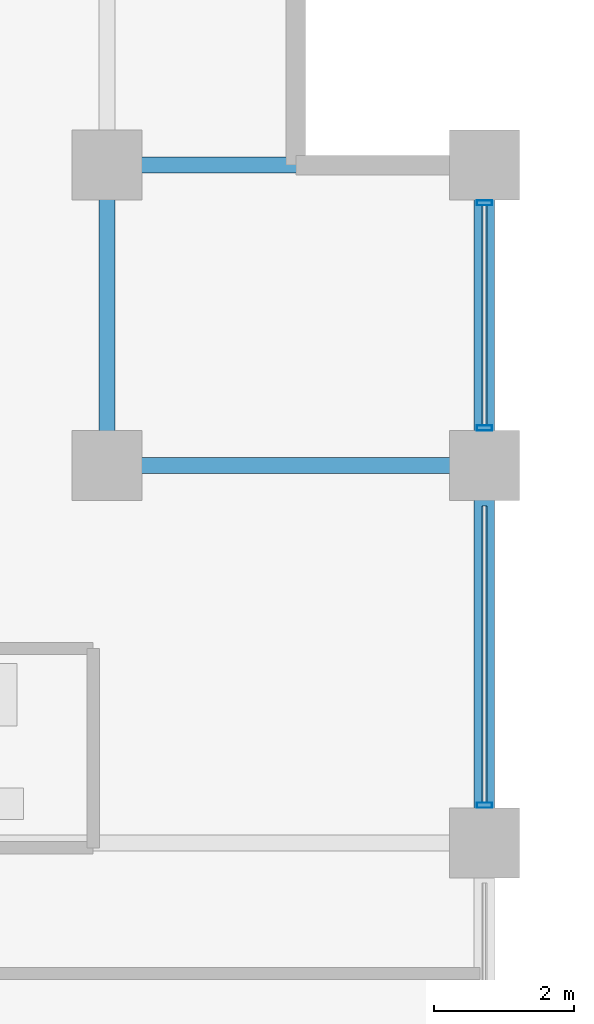
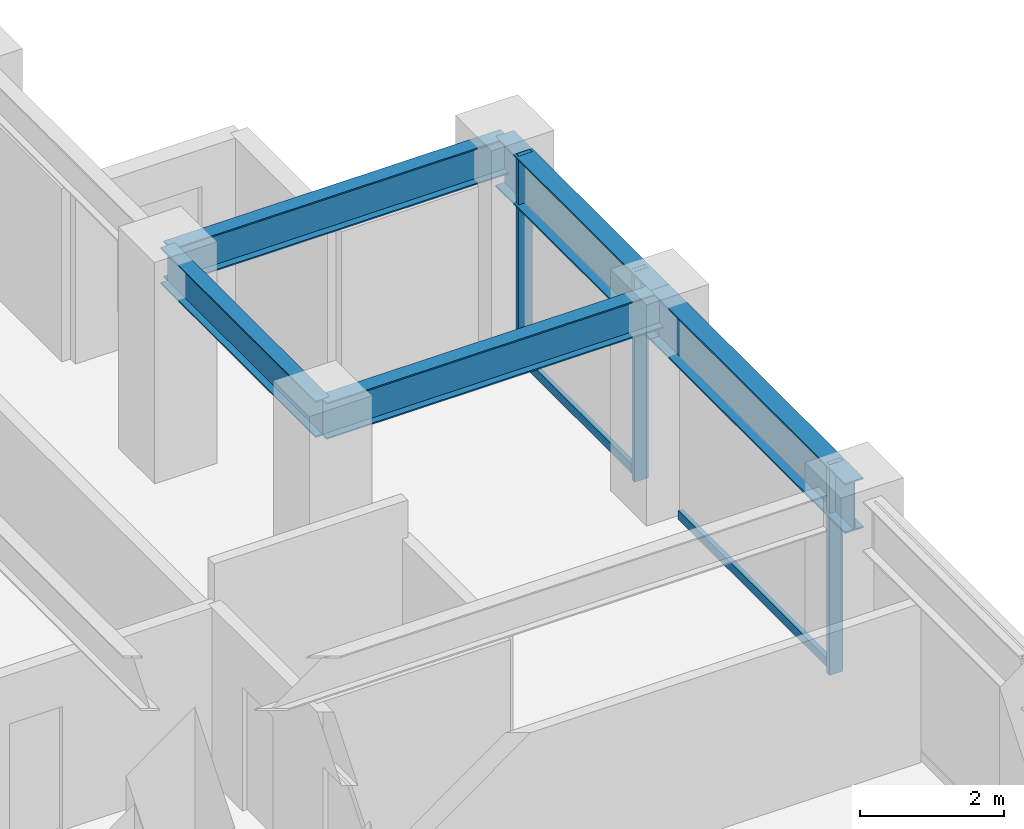
# One storey, part 15 of 25: 5 beams, 5 members, 1 element without a shape of its own.
"""IFC4 building model written with IfcOpenShell, lengths in metres."""

from ifc_helpers import new_model, si_unit, direction, frame, origin, origin_2d, place, context, subcontext, project, spatial, hollow_rectangle, i_section, extrude, material, layer, layer_set, material_profile, profile_set, type_object, element, aggregate, save


model = new_model("IFC4")

# Units and contexts
model_context = context("Model", 3, precision=1e-05, world=origin(), true_north=direction((0.0, 1.0)))
body_context = subcontext(model_context, "Body", "Model", "MODEL_VIEW")
ifc_project = project(units=[si_unit("LENGTHUNIT", "METRE"), si_unit("AREAUNIT", "SQUARE_METRE"), si_unit("VOLUMEUNIT", "CUBIC_METRE"), si_unit("PLANEANGLEUNIT", "RADIAN"), si_unit("MASSUNIT", "GRAM", prefix="KILO")], contexts=[model_context])

# Site, building, storey
site_placement = place(None, origin())
site = spatial("IfcSite", under=ifc_project, at=site_placement, CompositionType="ELEMENT")
building_placement = place(site_placement, origin())
building = spatial("IfcBuilding", under=site, at=building_placement, Name="Surkhivell Harbour Commons", CompositionType="ELEMENT")
storey_placement = place(building_placement, frame((0.0, 0.0, 139.5)))
storey = spatial("IfcBuildingStorey", under=building, at=storey_placement, Name="L36", CompositionType="ELEMENT", Elevation=139.5)

# Beams
ifc_material_1 = material(Name="Steel S355", Category="steel")
ifc_material_profile_1 = material_profile(ifc_material_1, i_section(OverallWidth=0.22998046875, OverallDepth=0.616943359375, WebThickness=0.01318359375, FlangeThickness=0.022216796875, at=origin_2d()), Name="UB610x229x140")
ifc_profile_set_1 = profile_set([ifc_material_profile_1], Name="Steel S355")
beam_type_1 = type_object("IfcBeamType", Name="BM-GRD-610B", PredefinedType="BEAM", material=ifc_profile_set_1)
beam_1_placement = place(storey_placement, frame((16.199951171875, 16.199951171875, 3.261474609375), z_axis=(0.0, 1.0, 0.0), x_axis=(-1.0, 0.0, 0.0)))
element("IfcBeam", 1, at=beam_1_placement, inside=storey, type_object=beam_type_1, Name="L36 Floor Girder (16.2,16.2)", PredefinedType="BEAM", context=body_context, shape_type="SweptSolid", body=[
    extrude(i_section(OverallWidth=0.22998046875, OverallDepth=0.616943359375, WebThickness=0.01318359375, FlangeThickness=0.022216796875, at=origin_2d()), origin(), (0.0, 0.0, 1.0), 4.300048828125),
])
for number, where, z_axis, x_axis, name in (
    (2, (16.199951171875, 16.199951171875, 3.261474609375), (1.0, 0.0, 0.0), (0.0, 1.0, 0.0), "L36 Floor Girder (16.2,16.2)"),
    (3, (16.199951171875, 20.5, 3.261474609375), (1.0, 0.0, 0.0), (0.0, 1.0, 0.0), "L36 Floor Girder (16.2,20.5)"),
):
    element("IfcBeam", number, at=place(storey_placement, frame(where, z_axis=z_axis, x_axis=x_axis)), inside=storey, type_object=beam_type_1, Name=name, PredefinedType="BEAM", context=body_context, shape_type="SweptSolid", body=[
        extrude(i_section(OverallWidth=0.22998046875, OverallDepth=0.616943359375, WebThickness=0.01318359375, FlangeThickness=0.022216796875, at=origin_2d()), origin(), (0.0, 0.0, 1.0), 5.400146484375),
    ])
ifc_material_2 = material(Name="Steel S460", Category="steel")
ifc_material_profile_2 = material_profile(ifc_material_2, i_section(OverallWidth=0.2939453125, OverallDepth=0.85107421875, WebThickness=0.01611328125, FlangeThickness=0.02685546875, at=origin_2d()), Name="UB838x292x226")
ifc_profile_set_2 = profile_set([ifc_material_profile_2], Name="Steel S460")
beam_type_2 = type_object("IfcBeamType", Name="BM-SPN-838", PredefinedType="SPANDREL", material=ifc_profile_set_2)
beam_2_placement = place(storey_placement, frame((21.60009765625, 10.800048828125, 3.14453125), z_axis=(0.0, 1.0, 0.0), x_axis=(-1.0, 0.0, 0.0)))
element("IfcBeam", 4, at=beam_2_placement, inside=storey, type_object=beam_type_2, Name="L36 Tube Spandrel (21.6,10.8)", PredefinedType="SPANDREL", context=body_context, shape_type="SweptSolid", body=[
    extrude(i_section(OverallWidth=0.2939453125, OverallDepth=0.85107421875, WebThickness=0.01611328125, FlangeThickness=0.02685546875, at=origin_2d()), origin(), (0.0, 0.0, 1.0), 5.39990234375),
])
beam_3_placement = place(storey_placement, frame((21.60009765625, 16.199951171875, 3.14453125), z_axis=(0.0, 1.0, 0.0), x_axis=(-1.0, 0.0, 0.0)))
element("IfcBeam", 5, at=beam_3_placement, inside=storey, type_object=beam_type_2, Name="L36 Tube Spandrel (21.6,16.2)", PredefinedType="SPANDREL", context=body_context, shape_type="SweptSolid", body=[
    extrude(i_section(OverallWidth=0.2939453125, OverallDepth=0.85107421875, WebThickness=0.01611328125, FlangeThickness=0.02685546875, at=origin_2d()), origin(), (0.0, 0.0, 1.0), 4.300048828125),
])

# Curtain wall, members
ifc_material_3 = material(Name="Anodised pale-metal aluminium and insulated glazing", Category="aluminium")
ifc_layer = layer(ifc_material_3, 0.205078125)
ifc_layer_set = layer_set([ifc_layer], Name="Anodised pale-metal aluminium and insulated glazing")
curtain_wall_type = type_object("IfcCurtainWallType", Name="CW-SYS-Z2", PredefinedType="NOTDEFINED", material=ifc_layer_set)
curtain_wall_placement = place(storey_placement, origin())
curtain_wall = element("IfcCurtainWall", 6, at=curtain_wall_placement, inside=storey, type_object=curtain_wall_type, Name="L36 Curtain Wall CW-L36-E02R2", PredefinedType="NOTDEFINED")
ifc_material_4 = material(Name="Anodised pale-metal aluminium alloy 6063-T6", Category="aluminium")
ifc_material_profile_3 = material_profile(ifc_material_4, hollow_rectangle(XDim=0.074951171875, YDim=0.219970703125, WallThickness=0.00390625, at=origin_2d()), Name="ALU-MULL-75x220")
ifc_profile_set_3 = profile_set([ifc_material_profile_3], Name="Anodised pale-metal aluminium alloy 6063-T6")
member_type_1 = type_object("IfcMemberType", Name="CWM-220", PredefinedType="MULLION", material=ifc_profile_set_3)
member_1_placement = place(storey_placement, frame((21.60009765625, 11.339599609375, 0.0), z_axis=(0.0, 0.0, 1.0), x_axis=(0.0, 1.0, 0.0)))
member_1 = element("IfcMember", 7, at=member_1_placement, type_object=member_type_1, Name="CW-Z2 mullion 2", PredefinedType="MULLION", context=body_context, shape_type="SweptSolid", body=[
    extrude(hollow_rectangle(XDim=0.074951171875, YDim=0.219970703125, WallThickness=0.00390625, at=origin_2d()), origin(), (0.0, 0.0, 1.0), 3.570068359375),
])
member_2_placement = place(storey_placement, frame((21.60009765625, 16.739501953125, 0.0), z_axis=(0.0, 0.0, 1.0), x_axis=(0.0, 1.0, 0.0)))
member_2 = element("IfcMember", 8, at=member_2_placement, type_object=member_type_1, Name="CW-Z2 mullion 3", PredefinedType="MULLION", context=body_context, shape_type="SweptSolid", body=[
    extrude(hollow_rectangle(XDim=0.074951171875, YDim=0.219970703125, WallThickness=0.00390625, at=origin_2d()), origin(), (0.0, 0.0, 1.0), 3.570068359375),
])
member_3_placement = place(storey_placement, frame((21.60009765625, 19.96044921875, 0.0), z_axis=(0.0, 0.0, 1.0), x_axis=(0.0, 1.0, 0.0)))
member_3 = element("IfcMember", 9, at=member_3_placement, type_object=member_type_1, Name="CW-Z2 mullion 4", PredefinedType="MULLION", context=body_context, shape_type="SweptSolid", body=[
    extrude(hollow_rectangle(XDim=0.074951171875, YDim=0.219970703125, WallThickness=0.00390625, at=origin_2d()), origin(), (0.0, 0.0, 1.0), 3.570068359375),
])
ifc_material_profile_4 = material_profile(ifc_material_4, hollow_rectangle(XDim=0.074951171875, YDim=0.14990234375, WallThickness=0.00341796875, at=origin_2d()), Name="ALU-TRAN-75x150")
ifc_profile_set_4 = profile_set([ifc_material_profile_4], Name="Anodised pale-metal aluminium alloy 6063-T6")
member_type_2 = type_object("IfcMemberType", Name="CWT-150", PredefinedType="USERDEFINED", material=ifc_profile_set_4)
member_4_placement = place(storey_placement, frame((21.60009765625, 11.376953125, 0.074951171875), z_axis=(0.0, 1.0, 0.0), x_axis=(-1.0, 0.0, 0.0)))
member_4 = element("IfcMember", 10, at=member_4_placement, type_object=member_type_2, Name="CW-Z2 transom 2.1", ObjectType="TRANSOM", PredefinedType="USERDEFINED", context=body_context, shape_type="SweptSolid", body=[
    extrude(hollow_rectangle(XDim=0.074951171875, YDim=0.14990234375, WallThickness=0.00341796875, at=origin_2d()), origin(), (0.0, 0.0, 1.0), 4.24609375),
])
member_5_placement = place(storey_placement, frame((21.60009765625, 16.777099609375, 0.074951171875), z_axis=(0.0, 1.0, 0.0), x_axis=(-1.0, 0.0, 0.0)))
member_5 = element("IfcMember", 11, at=member_5_placement, type_object=member_type_2, Name="CW-Z2 transom 3.1", ObjectType="TRANSOM", PredefinedType="USERDEFINED", context=body_context, shape_type="SweptSolid", body=[
    extrude(hollow_rectangle(XDim=0.074951171875, YDim=0.14990234375, WallThickness=0.00341796875, at=origin_2d()), origin(), (0.0, 0.0, 1.0), 3.14599609375),
])
aggregate(curtain_wall, [member_1, member_4, member_2, member_3, member_5])

save(model, "model.ifc")
